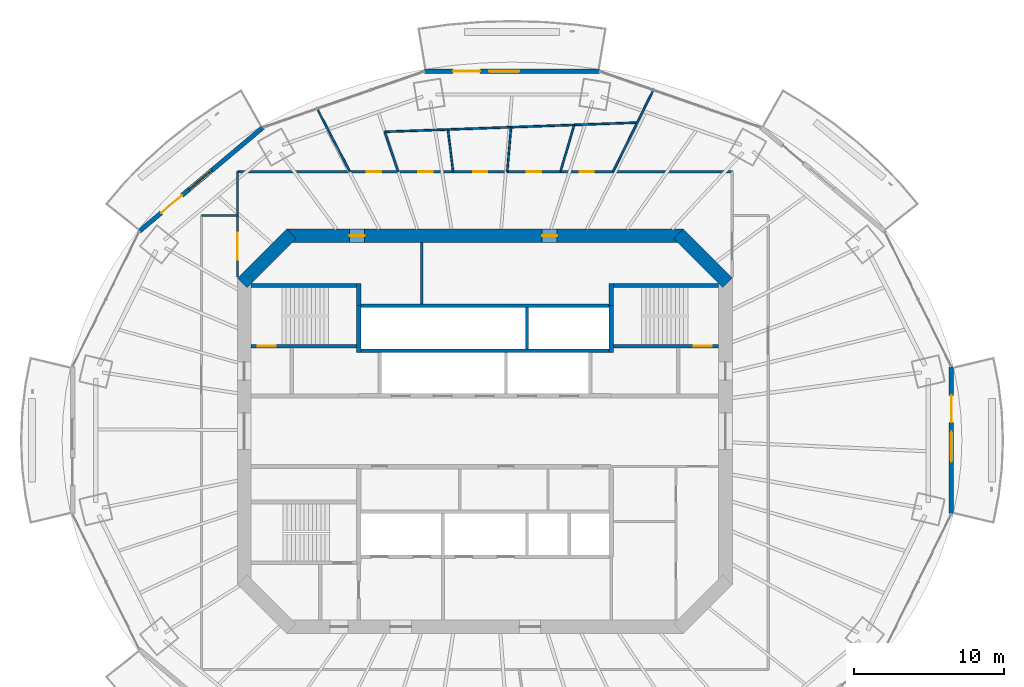
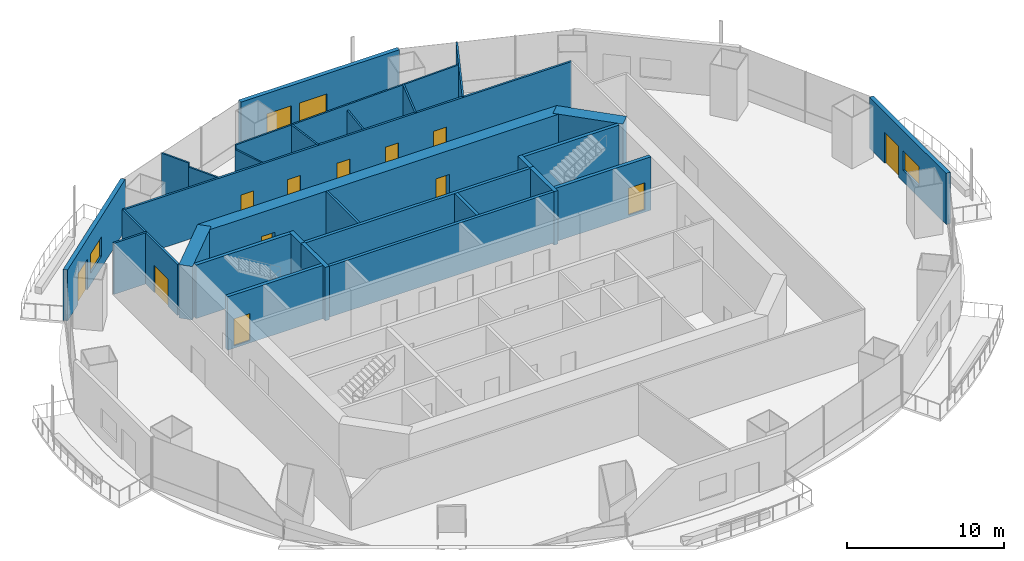
# One storey, part 12 of 19: 29 walls, 13 doors, 3 windows, 16 openings.
"""IFC4 building model written with IfcOpenShell, lengths in metres."""

import ifcopenshell
import ifcopenshell.guid

model = None  # the IFC model being written
_history = None  # IfcOwnerHistory: only IFC2X3 demands one
_inside = {}  # id of a spatial element -> (the spatial element, [elements in it])
_under = {}  # id of a project, library or spatial element -> (it, [spatial elements below it])
_declared = {}  # id of a project -> (the project, [libraries it declares])
_typed = {}  # id of a type object -> (the type object, [elements of that type])
_made_of = {}  # id of a material, layer set ... -> (it, [elements and type objects made of it])


def new_model(schema):
    """Start an empty IFC model of exactly this schema.

    Asked for "IFC4X3", IfcOpenShell would pick the latest addendum, in which some entities
    have other attributes; the version numbers below select the first issue.
    IFC2X3 requires an IfcOwnerHistory on every rooted entity: one is made here for all.
    """
    global model, _history
    if schema == "IFC4X3":
        model = ifcopenshell.file(schema_version=(4, 3, 0, 0))
    else:
        model = ifcopenshell.file(schema=schema)
    _inside.clear()
    _under.clear()
    _declared.clear()
    _typed.clear()
    _made_of.clear()
    _history = None
    if model.schema == "IFC2X3":
        org = make("IfcOrganization", Name="unknown")
        user = make(
            "IfcPersonAndOrganization",
            ThePerson=make("IfcPerson", FamilyName="unknown"),
            TheOrganization=org,
        )
        app = make(
            "IfcApplication",
            ApplicationDeveloper=org,
            Version="unknown",
            ApplicationFullName="unknown",
            ApplicationIdentifier="unknown",
        )
        _history = make(
            "IfcOwnerHistory",
            OwningUser=user,
            OwningApplication=app,
            ChangeAction="ADDED",
            CreationDate=0,
        )
    return model


def make(cls, **values):
    """One entity of the class cls with the attributes given. An attribute that is None is left unset."""
    return model.create_entity(
        cls, **{name: value for name, value in values.items() if value is not None}
    )


def rooted(cls, **values):
    """An entity with a GlobalId (a new one), such as an element, a storey or a relation."""
    return make(cls, GlobalId=ifcopenshell.guid.new(), OwnerHistory=_history, **values)


def si_unit(unit_type, name, prefix=None):
    """IfcSIUnit, for example si_unit("LENGTHUNIT", "METRE", prefix="MILLI")."""
    return make("IfcSIUnit", UnitType=unit_type, Prefix=prefix, Name=name)


def assignment(units):
    """IfcUnitAssignment: the units of a project."""
    return None if units is None else make("IfcUnitAssignment", Units=units)


def point(xyz):
    """IfcCartesianPoint."""
    return None if xyz is None else make("IfcCartesianPoint", Coordinates=xyz)


def direction(xyz):
    """IfcDirection."""
    return None if xyz is None else make("IfcDirection", DirectionRatios=xyz)


def frame(location, z_axis=None, x_axis=None):
    """IfcAxis2Placement3D, a coordinate frame: its origin and axes. An axis left out is left unset."""
    return make(
        "IfcAxis2Placement3D",
        Location=point(location),
        Axis=direction(z_axis),
        RefDirection=direction(x_axis),
    )


def frame_2d(location, x_axis=None):
    """IfcAxis2Placement2D, a coordinate frame in the plane: its origin and x axis."""
    return make(
        "IfcAxis2Placement2D", Location=point(location), RefDirection=direction(x_axis)
    )


def origin():
    """The frame at (0, 0, 0) with its axes left unset."""
    return frame((0.0, 0.0, 0.0))


def place(relative_to, where):
    """IfcLocalPlacement: puts the frame where relative to a parent placement (None: the world)."""
    return make(
        "IfcLocalPlacement", PlacementRelTo=relative_to, RelativePlacement=where
    )


def context(
    kind, dimensions, precision=None, world=None, true_north=None, identifier=None
):
    """IfcGeometricRepresentationContext, for example the 3D "Model" context."""
    return make(
        "IfcGeometricRepresentationContext",
        ContextIdentifier=identifier,
        ContextType=kind,
        CoordinateSpaceDimension=dimensions,
        Precision=precision,
        WorldCoordinateSystem=world,
        TrueNorth=true_north,
    )


def subcontext(parent, identifier, kind, view, scale=None):
    """IfcGeometricRepresentationSubContext, for example "Body" below "Model"."""
    return make(
        "IfcGeometricRepresentationSubContext",
        ContextIdentifier=identifier,
        ContextType=kind,
        ParentContext=parent,
        TargetScale=scale,
        TargetView=view,
    )


def project(units=None, contexts=None):
    """IfcProject with its units and contexts."""
    return rooted(
        "IfcProject",
        Name="project",
        RepresentationContexts=contexts,
        UnitsInContext=assignment(units),
    )


def spatial(cls, under=None, at=None, **own):
    """A site, building, storey or space (cls), placed at a placement, below another one or the project."""
    s = rooted(cls, ObjectPlacement=at, **own)
    if under is not None:
        _under.setdefault(under.id(), (under, []))[1].append(s)
    return s


def profile(cls, at=None, kind="AREA", **sizes):
    """A parametric profile (cls). Its sizes go by their IFC names, for example OverallWidth=200.0."""
    return make(cls, ProfileType=kind, Position=at, **sizes)


def rectangle(**sizes):
    """IfcRectangleProfileDef."""
    return profile("IfcRectangleProfileDef", **sizes)


def extrude(swept, where, along, depth):
    """IfcExtrudedAreaSolid: the profile swept, set in the frame where, extruded along a direction by depth."""
    return make(
        "IfcExtrudedAreaSolid",
        SweptArea=swept,
        Position=where,
        ExtrudedDirection=direction(along),
        Depth=depth,
    )


def shape(context_of_items, identifier, shape_type, items):
    """IfcShapeRepresentation: the items that make up one representation, for example the "Body"."""
    return make(
        "IfcShapeRepresentation",
        ContextOfItems=context_of_items,
        RepresentationIdentifier=identifier,
        RepresentationType=shape_type,
        Items=items,
    )


def material(Name=None, Category=None):
    """IfcMaterial."""
    return make("IfcMaterial", Name=Name, Category=Category)


def layer(
    of_material, thickness, ventilated=None, Name=None, Category=None, Priority=None
):
    """IfcMaterialLayer: one layer of a wall or slab, of a material (None: an air gap)."""
    return make(
        "IfcMaterialLayer",
        Material=of_material,
        LayerThickness=thickness,
        IsVentilated=ventilated,
        Name=Name,
        Category=Category,
        Priority=Priority,
    )


def layer_set(layers, Name=None):
    """IfcMaterialLayerSet."""
    return make("IfcMaterialLayerSet", MaterialLayers=layers, LayerSetName=Name)


def made_of(thing, what):
    """Note that an element or type object is made of a material, layer set ...; save() writes the relation."""
    if what is not None:
        _made_of.setdefault(what.id(), (what, []))[1].append(thing)
    return thing


def type_object(cls, material=None, **own):
    """A type object (cls), such as IfcWallType, which elements share."""
    return made_of(rooted(cls, **own), material)


def element(
    cls,
    number,
    at=None,
    inside=None,
    cuts=None,
    type_object=None,
    material=None,
    context=None,
    identifier="Body",
    shape_type=None,
    held_by="IfcProductDefinitionShape",
    body=None,
    shapes=None,
    **own,
):
    """One element of the class cls, such as IfcWall. Its Tag is "e" and its number.

    at: its placement. inside: the storey or other place that contains it. cuts: it is an
    opening in that element (IfcRelVoidsElement). A single representation is given by context,
    identifier, shape_type and body (its items); several are given by shapes. held_by: the class
    of the entity that holds the representations. save() writes the other relations.
    """
    e = rooted(cls, Tag="e%d" % number, ObjectPlacement=at, **own)
    if body is not None:
        shapes = [shape(context, identifier, shape_type, body)]
    if shapes is not None:
        e.Representation = make(held_by, Representations=shapes)
    if inside is not None:
        _inside.setdefault(inside.id(), (inside, []))[1].append(e)
    if cuts is not None:
        rooted(
            "IfcRelVoidsElement", RelatingBuildingElement=cuts, RelatedOpeningElement=e
        )
    if type_object is not None:
        _typed.setdefault(type_object.id(), (type_object, []))[1].append(e)
    return made_of(e, material)


def fill(opening, filler):
    """IfcRelFillsElement: the door or window that sits in an opening."""
    return rooted(
        "IfcRelFillsElement",
        RelatingOpeningElement=opening,
        RelatedBuildingElement=filler,
    )


def aggregate(whole, parts):
    """IfcRelAggregates: a whole, such as a stair, and the parts it consists of."""
    return rooted("IfcRelAggregates", RelatingObject=whole, RelatedObjects=parts)


def save(model, path):
    """Write the relations noted so far, then the file.

    IfcRelAggregates (storeys below a building ...), IfcRelContainedInSpatialStructure (elements
    in a storey), IfcRelDefinesByType, IfcRelAssociatesMaterial and IfcRelDeclares: one each for
    every whole, place, type object, material and project.
    """
    for whole, parts in _under.values():
        aggregate(whole, parts)
    for where, things in _inside.values():
        rooted(
            "IfcRelContainedInSpatialStructure",
            RelatedElements=things,
            RelatingStructure=where,
        )
    for kind, things in _typed.values():
        rooted("IfcRelDefinesByType", RelatedObjects=things, RelatingType=kind)
    for what, things in _made_of.values():
        rooted("IfcRelAssociatesMaterial", RelatedObjects=things, RelatingMaterial=what)
    for by, libraries in _declared.values():
        rooted("IfcRelDeclares", RelatingContext=by, RelatedDefinitions=libraries)
    model.write(path)


model = new_model("IFC4")

# Units and contexts
model_context = context("Model", 3, precision=1e-05, world=origin(), true_north=direction((0.0, 1.0)))
body_context = subcontext(model_context, "Body", "Model", "MODEL_VIEW")
ifc_project = project(units=[si_unit("LENGTHUNIT", "METRE"), si_unit("AREAUNIT", "SQUARE_METRE"), si_unit("VOLUMEUNIT", "CUBIC_METRE"), si_unit("PLANEANGLEUNIT", "RADIAN"), si_unit("MASSUNIT", "GRAM", prefix="KILO")], contexts=[model_context])

# Site, building, storey
site_placement = place(None, origin())
site = spatial("IfcSite", under=ifc_project, at=site_placement, CompositionType="ELEMENT")
building_placement = place(site_placement, origin())
building = spatial("IfcBuilding", under=site, at=building_placement, Name="Marenthal Gate Tower", CompositionType="ELEMENT")
storey_placement = place(building_placement, frame((0.0, 0.0, 256.5)))
storey = spatial("IfcBuildingStorey", under=building, at=storey_placement, Name="L57", CompositionType="ELEMENT", Elevation=256.5)

# Wall
ifc_material_1 = material(Name="Concrete 60 MPa", Category="concrete")
ifc_layer_1 = layer(ifc_material_1, 0.89990234375)
ifc_layer_set_1 = layer_set([ifc_layer_1], Name="Core shear wall 900")
wall_type_1 = type_object("IfcWallType", Name="Core shear wall 900", PredefinedType="SHEAR", material=ifc_layer_set_1)
wall_1_placement = place(storey_placement, frame((16.1318359375, 9.8681640625, -0.179931640625), z_axis=(0.0, 0.0, 1.0), x_axis=(-0.707106781187, 0.707106781187, 0.0)))
element("IfcWall", 1, at=wall_1_placement, inside=storey, type_object=wall_type_1, Name="Core wall 03", PredefinedType="SHEAR", context=body_context, shape_type="SweptSolid", body=[
    extrude(rectangle(XDim=4.615478515625, YDim=0.89990234375, at=frame_2d((2.3076171875, 0.0))), origin(), (0.0, 0.0, 1.0), 4.14990234375),
])

# Wall, openings, doors
wall_2_placement = place(storey_placement, frame((13.186279296875, 13.0, -0.179931640625), z_axis=(0.0, 0.0, 1.0), x_axis=(-1.0, 0.0, 0.0)))
wall_2 = element("IfcWall", 2, at=wall_2_placement, inside=storey, type_object=wall_type_1, Name="Core wall 04", PredefinedType="SHEAR", context=body_context, shape_type="SweptSolid", body=[
    extrude(rectangle(XDim=26.37255859375, YDim=0.89990234375, at=frame_2d((13.186279296875, 0.0))), origin(), (0.0, 0.0, 1.0), 4.14990234375),
])
opening_1_placement = place(wall_2_placement, frame((21.193359375, 0.0, 0.179931640625)))
opening_1 = element("IfcOpeningElement", 3, at=opening_1_placement, cuts=wall_2, Name="Opening D005.04", PredefinedType="OPENING", context=body_context, shape_type="SweptSolid", body=[
    extrude(rectangle(XDim=1.0, YDim=2.10009765625, at=frame_2d((0.5, 1.050048828125))), frame((0.0, 0.4599609375, 0.0), z_axis=(0.0, -1.0, 0.0), x_axis=(1.0, 0.0, 0.0)), (0.0, 0.0, 1.0), 0.919921875),
])
opening_2_placement = place(wall_2_placement, frame((8.37939453125, 0.0, 0.179931640625)))
opening_2 = element("IfcOpeningElement", 4, at=opening_2_placement, cuts=wall_2, Name="Opening D005.05", PredefinedType="OPENING", context=body_context, shape_type="SweptSolid", body=[
    extrude(rectangle(XDim=1.0, YDim=2.10009765625, at=frame_2d((0.5, 1.050048828125))), frame((0.0, 0.4599609375, 0.0), z_axis=(0.0, -1.0, 0.0), x_axis=(1.0, 0.0, 0.0)), (0.0, 0.0, 1.0), 0.919921875),
])
ifc_material_2 = material(Name="Steel fire door", Category="steel")
door_type_1 = type_object("IfcDoorType", Name="Fire door FD 45 1000 x 2100", OperationType="NOTDEFINED", PredefinedType="DOOR", material=ifc_material_2)
door_1_placement = place(opening_1_placement, origin())
door_1 = element("IfcDoor", 5, at=door_1_placement, inside=storey, type_object=door_type_1, Name="Door D005.04", OperationType="SINGLE_SWING_RIGHT", OverallHeight=2.10009765625, OverallWidth=1.0, PredefinedType="DOOR", context=body_context, shape_type="SweptSolid", body=[
    extrude(rectangle(XDim=1.0, YDim=2.10009765625, at=frame_2d((0.5, 1.050048828125))), frame((0.0, 0.02490234375, 0.0), z_axis=(0.0, -1.0, 0.0), x_axis=(1.0, 0.0, 0.0)), (0.0, 0.0, 1.0), 0.050048828125),
])
fill(opening_1, door_1)
door_2_placement = place(opening_2_placement, origin())
door_2 = element("IfcDoor", 6, at=door_2_placement, inside=storey, type_object=door_type_1, Name="Door D005.05", OperationType="SINGLE_SWING_RIGHT", OverallHeight=2.10009765625, OverallWidth=1.0, PredefinedType="DOOR", context=body_context, shape_type="SweptSolid", body=[
    extrude(rectangle(XDim=1.0, YDim=2.10009765625, at=frame_2d((0.5, 1.050048828125))), frame((0.0, 0.02490234375, 0.0), z_axis=(0.0, -1.0, 0.0), x_axis=(1.0, 0.0, 0.0)), (0.0, 0.0, 1.0), 0.050048828125),
])
fill(opening_2, door_2)

# Walls
wall_3_placement = place(storey_placement, frame((-12.8681640625, 13.1318359375, -0.179931640625), z_axis=(0.0, 0.0, 1.0), x_axis=(-0.707106781187, -0.707106781187, 0.0)))
element("IfcWall", 7, at=wall_3_placement, inside=storey, type_object=wall_type_1, Name="Core wall 05", PredefinedType="SHEAR", context=body_context, shape_type="SweptSolid", body=[
    extrude(rectangle(XDim=4.615478515625, YDim=0.89990234375, at=frame_2d((2.3076171875, 0.0))), origin(), (0.0, 0.0, 1.0), 4.14990234375),
])
ifc_material_3 = material(Name="Concrete 50 MPa", Category="concrete")
ifc_layer_2 = layer(ifc_material_3, 0.300048828125)
ifc_layer_set_2 = layer_set([ifc_layer_2], Name="Hoistway shear wall 300")
wall_type_2 = type_object("IfcWallType", Name="Hoistway shear wall 300", PredefinedType="SHEAR", material=ifc_layer_set_2)
for number, where, z_axis, x_axis, name in (
    (8, (-8.39990234375, 5.239990234375, -0.179931640625), (0.0, 0.0, 1.0), (0.0, 1.0, 0.0), "Hoistway wall 31"),
    (9, (8.39990234375, 5.239990234375, -0.179931640625), (0.0, 0.0, 1.0), (0.0, 1.0, 0.0), "Hoistway wall 46"),
):
    element("IfcWall", number, at=place(storey_placement, frame(where, z_axis=z_axis, x_axis=x_axis)), inside=storey, type_object=wall_type_2, Name=name, PredefinedType="SHEAR", context=body_context, shape_type="SweptSolid", body=[
        extrude(rectangle(XDim=3.110107421875, YDim=0.300048828125, at=frame_2d((1.55517578125, 0.0))), origin(), (0.0, 0.0, 1.0), 4.14990234375),
    ])
ifc_material_4 = material(Name="Concrete 40 MPa", Category="concrete")
ifc_layer_3 = layer(ifc_material_4, 0.219970703125)
ifc_layer_set_3 = layer_set([ifc_layer_3], Name="Hoistway wall 220")
wall_type_3 = type_object("IfcWallType", Name="Hoistway wall 220", PredefinedType="STANDARD", material=ifc_layer_set_3)
for number, where, z_axis, x_axis, name in (
    (10, (-8.25, 5.35009765625, 0.0), (0.0, 0.0, 1.0), (1.0, 0.0, 0.0), "Hoistway wall 21"),
    (11, (-8.25, 8.35009765625, 0.0), (0.0, 0.0, 1.0), (1.0, 0.0, 0.0), "Hoistway wall 24"),
):
    element("IfcWall", number, at=place(storey_placement, frame(where, z_axis=z_axis, x_axis=x_axis)), inside=storey, type_object=wall_type_3, Name=name, PredefinedType="STANDARD", context=body_context, shape_type="SweptSolid", body=[
        extrude(rectangle(XDim=16.5, YDim=0.219970703125, at=frame_2d((8.25, 0.0))), origin(), (0.0, 0.0, 1.0), 3.969970703125),
    ])
wall_4_placement = place(storey_placement, frame((2.800048828125, 5.4599609375, 0.0), z_axis=(0.0, 0.0, 1.0), x_axis=(0.0, 1.0, 0.0)))
element("IfcWall", 12, at=wall_4_placement, inside=storey, type_object=wall_type_3, Name="Hoistway wall 40", PredefinedType="STANDARD", context=body_context, shape_type="SweptSolid", body=[
    extrude(rectangle(XDim=2.780029296875, YDim=0.219970703125, at=frame_2d((1.39013671875, 0.0))), origin(), (0.0, 0.0, 1.0), 3.969970703125),
])
ifc_material_5 = material(Name="Gypsum board on steel studs", Category="steel")
ifc_layer_4 = layer(ifc_material_5, 0.1201171875)
ifc_layer_set_4 = layer_set([ifc_layer_4], Name="Partition 120")
wall_type_4 = type_object("IfcWallType", Name="Partition 120", PredefinedType="PARTITIONING", material=ifc_layer_set_4)
wall_5_placement = place(storey_placement, frame((-8.983642578125, 17.267333984375, 0.0), z_axis=(0.0, 0.0, 1.0), x_axis=(-0.461563592542, 0.887107124332, 0.0)))
element("IfcWall", 13, at=wall_5_placement, inside=storey, type_object=wall_type_4, Name="Partition wall 54", PredefinedType="PARTITIONING", context=body_context, shape_type="SweptSolid", body=[
    extrude(rectangle(XDim=2.697509765625, YDim=0.1201171875, at=frame_2d((1.3486328125, 0.0))), origin(), (0.0, 0.0, 1.0), 3.659912109375),
])
wall_6_placement = place(storey_placement, frame((-10.228759765625, 19.660400390625, 0.0), z_axis=(0.0, 0.0, 1.0), x_axis=(-0.46142078382, 0.887181413387, 0.0)))
element("IfcWall", 14, at=wall_6_placement, inside=storey, type_object=wall_type_4, Name="Partition wall 66", PredefinedType="PARTITIONING", context=body_context, shape_type="SweptSolid", body=[
    extrude(rectangle(XDim=2.033447265625, YDim=0.1201171875, at=frame_2d((1.0166015625, 0.0))), origin(), (0.0, 0.0, 1.0), 3.969970703125),
])
wall_7_placement = place(storey_placement, frame((-6.659912109375, 19.917724609375, 0.0), z_axis=(0.0, 0.0, 1.0), x_axis=(0.317118703872, -0.948385853783, 0.0)))
element("IfcWall", 15, at=wall_7_placement, inside=storey, type_object=wall_type_4, Name="Partition wall 55", PredefinedType="PARTITIONING", context=body_context, shape_type="SweptSolid", body=[
    extrude(rectangle(XDim=2.794677734375, YDim=0.1201171875, at=frame_2d((1.3974609375, 0.0))), origin(), (0.0, 0.0, 1.0), 3.616943359375),
])
wall_8_placement = place(storey_placement, frame((-2.4619140625, 20.07080078125, 0.0), z_axis=(0.0, 0.0, 1.0), x_axis=(0.121704558914, -0.992566370748, 0.0)))
element("IfcWall", 16, at=wall_8_placement, inside=storey, type_object=wall_type_4, Name="Partition wall 56", PredefinedType="PARTITIONING", context=body_context, shape_type="SweptSolid", body=[
    extrude(rectangle(XDim=2.824462890625, YDim=0.1201171875, at=frame_2d((1.412109375, 0.0))), origin(), (0.0, 0.0, 1.0), 3.969970703125),
])
wall_9_placement = place(storey_placement, frame((1.73583984375, 20.223388671875, 0.0), z_axis=(0.0, 0.0, 1.0), x_axis=(-0.08549683198, -0.996338442359, 0.0)))
element("IfcWall", 17, at=wall_9_placement, inside=storey, type_object=wall_type_4, Name="Partition wall 57", PredefinedType="PARTITIONING", context=body_context, shape_type="SweptSolid", body=[
    extrude(rectangle(XDim=2.966796875, YDim=0.1201171875, at=frame_2d((1.4833984375, 0.0))), origin(), (0.0, 0.0, 1.0), 3.552978515625),
])
wall_10_placement = place(storey_placement, frame((5.933837890625, 20.376220703125, 0.0), z_axis=(0.0, 0.0, 1.0), x_axis=(-0.279577259278, -0.960123198394, 0.0)))
element("IfcWall", 18, at=wall_10_placement, inside=storey, type_object=wall_type_4, Name="Partition wall 59", PredefinedType="PARTITIONING", context=body_context, shape_type="SweptSolid", body=[
    extrude(rectangle(XDim=3.238037109375, YDim=0.1201171875, at=frame_2d((1.619140625, 0.0))), origin(), (0.0, 0.0, 1.0), 3.969970703125),
])
wall_11_placement = place(storey_placement, frame((8.52197265625, 17.267333984375, 0.0), z_axis=(0.0, 0.0, 1.0), x_axis=(0.442552062216, 0.896742812755, 0.0)))
element("IfcWall", 19, at=wall_11_placement, inside=storey, type_object=wall_type_4, Name="Partition wall 60", PredefinedType="PARTITIONING", context=body_context, shape_type="SweptSolid", body=[
    extrude(rectangle(XDim=6.062255859375, YDim=0.1201171875, at=frame_2d((3.03125, 0.0))), origin(), (0.0, 0.0, 1.0), 3.969970703125),
])
wall_12_placement = place(storey_placement, frame((10.131591796875, 20.529296875, 0.0), z_axis=(0.0, 0.0, 1.0), x_axis=(-0.999337395221, -0.036397397061, 0.0)))
element("IfcWall", 20, at=wall_12_placement, inside=storey, type_object=wall_type_4, Name="Partition wall 61", PredefinedType="PARTITIONING", context=body_context, shape_type="SweptSolid", body=[
    extrude(rectangle(XDim=16.802734375, YDim=0.1201171875, at=frame_2d((8.4013671875, 0.0))), origin(), (0.0, 0.0, 1.0), 3.969970703125),
])
ifc_material_6 = material(Name="Gypsum board on steel studs", Category="steel")
ifc_layer_5 = layer(ifc_material_6, 0.14990234375)
ifc_layer_set_5 = layer_set([ifc_layer_5], Name="Partition 150")
wall_type_5 = type_object("IfcWallType", Name="Partition 150", PredefinedType="PARTITIONING", material=ifc_layer_set_5)
wall_13_placement = place(storey_placement, frame((-4.199951171875, 8.4599609375, 0.0), z_axis=(0.0, 0.0, 1.0), x_axis=(0.0, 1.0, 0.0)))
element("IfcWall", 21, at=wall_13_placement, inside=storey, type_object=wall_type_5, Name="Partition wall 34", PredefinedType="PARTITIONING", context=body_context, shape_type="SweptSolid", body=[
    extrude(rectangle(XDim=4.090087890625, YDim=0.14990234375, at=frame_2d((2.044921875, 0.0))), origin(), (0.0, 0.0, 1.0), 3.969970703125),
])
wall_14_placement = place(storey_placement, frame((-18.85009765625, 14.357177734375, 0.0), z_axis=(0.0, 0.0, 1.0), x_axis=(1.0, 0.0, 0.0)))
element("IfcWall", 22, at=wall_14_placement, inside=storey, type_object=wall_type_5, Name="Partition wall 51", PredefinedType="PARTITIONING", context=body_context, shape_type="SweptSolid", body=[
    extrude(rectangle(XDim=2.400146484375, YDim=0.14990234375, at=frame_2d((1.2001953125, 0.0))), origin(), (0.0, 0.0, 1.0), 3.969970703125),
])

# Wall, opening, door
wall_15_placement = place(storey_placement, frame((-16.449951171875, 10.25, 0.0), z_axis=(0.0, 0.0, 1.0), x_axis=(0.0, 1.0, 0.0)))
wall_15 = element("IfcWall", 23, at=wall_15_placement, inside=storey, type_object=wall_type_5, Name="Partition wall 52", PredefinedType="PARTITIONING", context=body_context, shape_type="SweptSolid", body=[
    extrude(rectangle(XDim=7.017333984375, YDim=0.14990234375, at=frame_2d((3.5087890625, 0.0))), origin(), (0.0, 0.0, 1.0), 3.969970703125),
])
opening_3_placement = place(wall_15_placement, frame((1.153076171875, 0.0, 0.0)))
opening_3 = element("IfcOpeningElement", 24, at=opening_3_placement, cuts=wall_15, Name="Opening D014.03", PredefinedType="OPENING", context=body_context, shape_type="SweptSolid", body=[
    extrude(rectangle(XDim=1.800048828125, YDim=2.10009765625, at=frame_2d((0.89990234375, 1.050048828125))), frame((0.0, 0.0849609375, 0.0), z_axis=(0.0, -1.0, 0.0), x_axis=(1.0, 0.0, 0.0)), (0.0, 0.0, 1.0), 0.169921875),
])
ifc_material_7 = material(Name="Timber door", Category="wood")
door_type_2 = type_object("IfcDoorType", Name="Double door 1800 x 2100", OperationType="DOUBLE_DOOR_SINGLE_SWING", PredefinedType="DOOR", material=ifc_material_7)
door_3_placement = place(opening_3_placement, origin())
door_3 = element("IfcDoor", 25, at=door_3_placement, inside=storey, type_object=door_type_2, Name="Door D014.03", OperationType="DOUBLE_DOOR_SINGLE_SWING", OverallHeight=2.10009765625, OverallWidth=1.800048828125, PredefinedType="DOOR", context=body_context, shape_type="SweptSolid", body=[
    extrude(rectangle(XDim=1.800048828125, YDim=2.10009765625, at=frame_2d((0.89990234375, 1.050048828125))), frame((0.0, 0.02490234375, 0.0), z_axis=(0.0, -1.0, 0.0), x_axis=(1.0, 0.0, 0.0)), (0.0, 0.0, 1.0), 0.050048828125),
])
fill(opening_3, door_3)

# Wall, openings, doors
wall_16_placement = place(storey_placement, frame((-16.449951171875, 17.267333984375, 0.0), z_axis=(0.0, 0.0, 1.0), x_axis=(1.0, 0.0, 0.0)))
wall_16 = element("IfcWall", 26, at=wall_16_placement, inside=storey, type_object=wall_type_5, Name="Partition wall 53", PredefinedType="PARTITIONING", context=body_context, shape_type="SweptSolid", body=[
    extrude(rectangle(XDim=32.89990234375, YDim=0.14990234375, at=frame_2d((16.449951171875, 0.0))), origin(), (0.0, 0.0, 1.0), 3.969970703125),
])
opening_4_placement = place(wall_16_placement, frame((22.75, 0.0, 0.0)))
opening_4 = element("IfcOpeningElement", 27, at=opening_4_placement, cuts=wall_16, Name="Opening D016.01", PredefinedType="OPENING", context=body_context, shape_type="SweptSolid", body=[
    extrude(rectangle(XDim=0.949951171875, YDim=2.10009765625, at=frame_2d((0.47509765625, 1.050048828125))), frame((0.0, 0.0849609375, 0.0), z_axis=(0.0, -1.0, 0.0), x_axis=(1.0, 0.0, 0.0)), (0.0, 0.0, 1.0), 0.169921875),
])
opening_5_placement = place(wall_16_placement, frame((19.22998046875, 0.0, 0.0)))
opening_5 = element("IfcOpeningElement", 28, at=opening_5_placement, cuts=wall_16, Name="Opening D016.02", PredefinedType="OPENING", context=body_context, shape_type="SweptSolid", body=[
    extrude(rectangle(XDim=0.949951171875, YDim=2.10009765625, at=frame_2d((0.47509765625, 1.050048828125))), frame((0.0, 0.0849609375, 0.0), z_axis=(0.0, -1.0, 0.0), x_axis=(1.0, 0.0, 0.0)), (0.0, 0.0, 1.0), 0.169921875),
])
opening_6_placement = place(wall_16_placement, frame((15.656982421875, 0.0, 0.0)))
opening_6 = element("IfcOpeningElement", 29, at=opening_6_placement, cuts=wall_16, Name="Opening D016.03", PredefinedType="OPENING", context=body_context, shape_type="SweptSolid", body=[
    extrude(rectangle(XDim=0.949951171875, YDim=2.10009765625, at=frame_2d((0.47509765625, 1.050048828125))), frame((0.0, 0.0849609375, 0.0), z_axis=(0.0, -1.0, 0.0), x_axis=(1.0, 0.0, 0.0)), (0.0, 0.0, 1.0), 0.169921875),
])
opening_7_placement = place(wall_16_placement, frame((12.029052734375, 0.0, 0.0)))
opening_7 = element("IfcOpeningElement", 30, at=opening_7_placement, cuts=wall_16, Name="Opening D016.04", PredefinedType="OPENING", context=body_context, shape_type="SweptSolid", body=[
    extrude(rectangle(XDim=0.949951171875, YDim=2.10009765625, at=frame_2d((0.47509765625, 1.050048828125))), frame((0.0, 0.0849609375, 0.0), z_axis=(0.0, -1.0, 0.0), x_axis=(1.0, 0.0, 0.0)), (0.0, 0.0, 1.0), 0.169921875),
])
opening_8_placement = place(wall_16_placement, frame((8.595947265625, 0.0, 0.0)))
opening_8 = element("IfcOpeningElement", 31, at=opening_8_placement, cuts=wall_16, Name="Opening D016.05", PredefinedType="OPENING", context=body_context, shape_type="SweptSolid", body=[
    extrude(rectangle(XDim=0.949951171875, YDim=2.10009765625, at=frame_2d((0.47509765625, 1.050048828125))), frame((0.0, 0.0849609375, 0.0), z_axis=(0.0, -1.0, 0.0), x_axis=(1.0, 0.0, 0.0)), (0.0, 0.0, 1.0), 0.169921875),
])
ifc_material_8 = material(Name="Timber door", Category="wood")
door_type_3 = type_object("IfcDoorType", Name="Door 950 x 2100", OperationType="NOTDEFINED", PredefinedType="DOOR", material=ifc_material_8)
door_4_placement = place(opening_4_placement, origin())
door_4 = element("IfcDoor", 32, at=door_4_placement, inside=storey, type_object=door_type_3, Name="Door D016.01", OperationType="SINGLE_SWING_RIGHT", OverallHeight=2.10009765625, OverallWidth=0.949951171875, PredefinedType="DOOR", context=body_context, shape_type="SweptSolid", body=[
    extrude(rectangle(XDim=0.949951171875, YDim=2.10009765625, at=frame_2d((0.47509765625, 1.050048828125))), frame((0.0, 0.02490234375, 0.0), z_axis=(0.0, -1.0, 0.0), x_axis=(1.0, 0.0, 0.0)), (0.0, 0.0, 1.0), 0.050048828125),
])
fill(opening_4, door_4)
door_5_placement = place(opening_5_placement, origin())
door_5 = element("IfcDoor", 33, at=door_5_placement, inside=storey, type_object=door_type_3, Name="Door D016.02", OperationType="SINGLE_SWING_RIGHT", OverallHeight=2.10009765625, OverallWidth=0.949951171875, PredefinedType="DOOR", context=body_context, shape_type="SweptSolid", body=[
    extrude(rectangle(XDim=0.949951171875, YDim=2.10009765625, at=frame_2d((0.47509765625, 1.050048828125))), frame((0.0, 0.02490234375, 0.0), z_axis=(0.0, -1.0, 0.0), x_axis=(1.0, 0.0, 0.0)), (0.0, 0.0, 1.0), 0.050048828125),
])
fill(opening_5, door_5)
door_6_placement = place(opening_6_placement, origin())
door_6 = element("IfcDoor", 34, at=door_6_placement, inside=storey, type_object=door_type_3, Name="Door D016.03", OperationType="SINGLE_SWING_RIGHT", OverallHeight=2.10009765625, OverallWidth=0.949951171875, PredefinedType="DOOR", context=body_context, shape_type="SweptSolid", body=[
    extrude(rectangle(XDim=0.949951171875, YDim=2.10009765625, at=frame_2d((0.47509765625, 1.050048828125))), frame((0.0, 0.02490234375, 0.0), z_axis=(0.0, -1.0, 0.0), x_axis=(1.0, 0.0, 0.0)), (0.0, 0.0, 1.0), 0.050048828125),
])
fill(opening_6, door_6)
door_7_placement = place(opening_7_placement, origin())
door_7 = element("IfcDoor", 35, at=door_7_placement, inside=storey, type_object=door_type_3, Name="Door D016.04", OperationType="SINGLE_SWING_RIGHT", OverallHeight=2.10009765625, OverallWidth=0.949951171875, PredefinedType="DOOR", context=body_context, shape_type="SweptSolid", body=[
    extrude(rectangle(XDim=0.949951171875, YDim=2.10009765625, at=frame_2d((0.47509765625, 1.050048828125))), frame((0.0, 0.02490234375, 0.0), z_axis=(0.0, -1.0, 0.0), x_axis=(1.0, 0.0, 0.0)), (0.0, 0.0, 1.0), 0.050048828125),
])
fill(opening_7, door_7)
door_8_placement = place(opening_8_placement, origin())
door_8 = element("IfcDoor", 36, at=door_8_placement, inside=storey, type_object=door_type_3, Name="Door D016.05", OperationType="SINGLE_SWING_RIGHT", OverallHeight=2.10009765625, OverallWidth=0.949951171875, PredefinedType="DOOR", context=body_context, shape_type="SweptSolid", body=[
    extrude(rectangle(XDim=0.949951171875, YDim=2.10009765625, at=frame_2d((0.47509765625, 1.050048828125))), frame((0.0, 0.02490234375, 0.0), z_axis=(0.0, -1.0, 0.0), x_axis=(1.0, 0.0, 0.0)), (0.0, 0.0, 1.0), 0.050048828125),
])
fill(opening_8, door_8)

# Wall, opening, door
ifc_material_9 = material(Name="Concrete 50 MPa", Category="concrete")
ifc_layer_6 = layer(ifc_material_9, 0.25)
ifc_layer_set_6 = layer_set([ifc_layer_6], Name="Stair shear wall 250")
wall_type_6 = type_object("IfcWallType", Name="Stair shear wall 250", PredefinedType="SHEAR", material=ifc_layer_set_6)
wall_17_placement = place(storey_placement, frame((-15.550048828125, 5.64990234375, -0.179931640625), z_axis=(0.0, 0.0, 1.0), x_axis=(1.0, 0.0, 0.0)))
wall_17 = element("IfcWall", 37, at=wall_17_placement, inside=storey, type_object=wall_type_6, Name="Stair wall 22", PredefinedType="SHEAR", context=body_context, shape_type="SweptSolid", body=[
    extrude(rectangle(XDim=7.0, YDim=0.25, at=frame_2d((3.5, 0.0))), origin(), (0.0, 0.0, 1.0), 4.14990234375),
])
opening_9_placement = place(wall_17_placement, frame((0.449951171875, 0.0, 0.179931640625)))
opening_9 = element("IfcOpeningElement", 38, at=opening_9_placement, cuts=wall_17, Name="Opening D001.01", PredefinedType="OPENING", context=body_context, shape_type="SweptSolid", body=[
    extrude(rectangle(XDim=1.199951171875, YDim=2.10009765625, at=frame_2d((0.60009765625, 1.050048828125))), frame((0.0, 0.135009765625, 0.0), z_axis=(0.0, -1.0, 0.0), x_axis=(1.0, 0.0, 0.0)), (0.0, 0.0, 1.0), 0.27001953125),
])
ifc_material_10 = material(Name="Steel fire door", Category="steel")
door_type_4 = type_object("IfcDoorType", Name="Fire door FD 90 1200 x 2100", OperationType="NOTDEFINED", PredefinedType="DOOR", material=ifc_material_10)
door_9_placement = place(opening_9_placement, origin())
door_9 = element("IfcDoor", 39, at=door_9_placement, inside=storey, type_object=door_type_4, Name="Door D001.01", OperationType="SINGLE_SWING_RIGHT", OverallHeight=2.10009765625, OverallWidth=1.199951171875, PredefinedType="DOOR", context=body_context, shape_type="SweptSolid", body=[
    extrude(rectangle(XDim=1.199951171875, YDim=2.10009765625, at=frame_2d((0.60009765625, 1.050048828125))), frame((0.0, 0.02490234375, 0.0), z_axis=(0.0, -1.0, 0.0), x_axis=(1.0, 0.0, 0.0)), (0.0, 0.0, 1.0), 0.050048828125),
])
fill(opening_9, door_9)

wall_18_placement = place(storey_placement, frame((8.550048828125, 5.64990234375, -0.179931640625), z_axis=(0.0, 0.0, 1.0), x_axis=(1.0, 0.0, 0.0)))
wall_18 = element("IfcWall", 40, at=wall_18_placement, inside=storey, type_object=wall_type_6, Name="Stair wall 23", PredefinedType="SHEAR", context=body_context, shape_type="SweptSolid", body=[
    extrude(rectangle(XDim=7.0, YDim=0.25, at=frame_2d((3.5, 0.0))), origin(), (0.0, 0.0, 1.0), 4.14990234375),
])
opening_10_placement = place(wall_18_placement, frame((5.35009765625, 0.0, 0.179931640625)))
opening_10 = element("IfcOpeningElement", 41, at=opening_10_placement, cuts=wall_18, Name="Opening D001.02", PredefinedType="OPENING", context=body_context, shape_type="SweptSolid", body=[
    extrude(rectangle(XDim=1.199951171875, YDim=2.10009765625, at=frame_2d((0.60009765625, 1.050048828125))), frame((0.0, 0.135009765625, 0.0), z_axis=(0.0, -1.0, 0.0), x_axis=(1.0, 0.0, 0.0)), (0.0, 0.0, 1.0), 0.27001953125),
])
door_10_placement = place(opening_10_placement, origin())
door_10 = element("IfcDoor", 42, at=door_10_placement, inside=storey, type_object=door_type_4, Name="Door D001.02", OperationType="SINGLE_SWING_RIGHT", OverallHeight=2.10009765625, OverallWidth=1.199951171875, PredefinedType="DOOR", context=body_context, shape_type="SweptSolid", body=[
    extrude(rectangle(XDim=1.199951171875, YDim=2.10009765625, at=frame_2d((0.60009765625, 1.050048828125))), frame((0.0, 0.02490234375, 0.0), z_axis=(0.0, -1.0, 0.0), x_axis=(1.0, 0.0, 0.0)), (0.0, 0.0, 1.0), 0.050048828125),
])
fill(opening_10, door_10)

# Walls
for number, where, z_axis, x_axis, name in (
    (43, (-15.550048828125, 9.699951171875, -0.179931640625), (0.0, 0.0, 1.0), (1.0, 0.0, 0.0), "Stair wall 25"),
    (44, (8.550048828125, 9.699951171875, -0.179931640625), (0.0, 0.0, 1.0), (1.0, 0.0, 0.0), "Stair wall 26"),
):
    element("IfcWall", number, at=place(storey_placement, frame(where, z_axis=z_axis, x_axis=x_axis)), inside=storey, type_object=wall_type_6, Name=name, PredefinedType="SHEAR", context=body_context, shape_type="SweptSolid", body=[
        extrude(rectangle(XDim=7.0, YDim=0.25, at=frame_2d((3.5, 0.0))), origin(), (0.0, 0.0, 1.0), 4.14990234375),
    ])
ifc_material_11 = material(Name="Concrete 50 MPa", Category="concrete")
ifc_layer_7 = layer(ifc_material_11, 0.300048828125)
ifc_layer_set_7 = layer_set([ifc_layer_7], Name="Stair shear wall 300")
wall_type_7 = type_object("IfcWallType", Name="Stair shear wall 300", PredefinedType="SHEAR", material=ifc_layer_set_7)
for number, where, z_axis, x_axis, name in (
    (45, (-8.39990234375, 8.35009765625, -0.179931640625), (0.0, 0.0, 1.0), (0.0, 1.0, 0.0), "Stair wall 32"),
    (46, (8.39990234375, 8.35009765625, -0.179931640625), (0.0, 0.0, 1.0), (0.0, 1.0, 0.0), "Stair wall 47"),
):
    element("IfcWall", number, at=place(storey_placement, frame(where, z_axis=z_axis, x_axis=x_axis)), inside=storey, type_object=wall_type_7, Name=name, PredefinedType="SHEAR", context=body_context, shape_type="SweptSolid", body=[
        extrude(rectangle(XDim=1.474853515625, YDim=0.300048828125, at=frame_2d((0.7373046875, 0.0))), origin(), (0.0, 0.0, 1.0), 4.14990234375),
    ])

# Wall, openings, door, window
ifc_material_12 = material(Name="Terracotta cladding on insulated concrete-block backing", Category="masonry")
ifc_layer_8 = layer(ifc_material_12, 0.300048828125)
ifc_layer_set_8 = layer_set([ifc_layer_8], Name="Terracotta facade wall 300")
wall_type_8 = type_object("IfcWallType", Name="Terracotta facade wall 300", PredefinedType="SOLIDWALL", material=ifc_layer_set_8)
wall_19_placement = place(storey_placement, frame((7.6142578125, 23.952880859375, 0.0), z_axis=(0.0, 0.0, 1.0), x_axis=(-1.0, 0.0, 0.0)))
wall_19 = element("IfcWall", 47, at=wall_19_placement, inside=storey, type_object=wall_type_8, Name="Terracotta facade wall L57 bay 4", PredefinedType="SOLIDWALL", context=body_context, shape_type="SweptSolid", body=[
    extrude(rectangle(XDim=11.628662109375, YDim=0.300048828125, at=frame_2d((5.814453125, 0.0))), origin(), (0.0, 0.0, 1.0), 3.969970703125),
])
opening_11_placement = place(wall_19_placement, frame((7.9287109375, 0.0, 0.0)))
opening_11 = element("IfcOpeningElement", 48, at=opening_11_placement, cuts=wall_19, Name="Opening BD-L57-04", PredefinedType="OPENING", context=body_context, shape_type="SweptSolid", body=[
    extrude(rectangle(XDim=1.800048828125, YDim=2.39990234375, at=frame_2d((0.89990234375, 1.199951171875))), frame((0.0, 0.16015625, 0.0), z_axis=(0.0, -1.0, 0.0), x_axis=(1.0, 0.0, 0.0)), (0.0, 0.0, 1.0), 0.320068359375),
])
opening_12_placement = place(wall_19_placement, frame((5.32861328125, 0.0, 0.89990234375)))
opening_12 = element("IfcOpeningElement", 49, at=opening_12_placement, cuts=wall_19, Name="Opening WN2-L57-04", PredefinedType="OPENING", context=body_context, shape_type="SweptSolid", body=[
    extrude(rectangle(XDim=2.0, YDim=1.5, at=frame_2d((1.0, 0.75))), frame((0.0, 0.16015625, 0.0), z_axis=(0.0, -1.0, 0.0), x_axis=(1.0, 0.0, 0.0)), (0.0, 0.0, 1.0), 0.320068359375),
])
ifc_material_13 = material(Name="Aluminium and glass", Category="aluminium")
door_type_5 = type_object("IfcDoorType", Name="Balcony door 1800x2400", OperationType="DOUBLE_DOOR_SINGLE_SWING", PredefinedType="DOOR", material=ifc_material_13)
door_11_placement = place(opening_11_placement, origin())
door_11 = element("IfcDoor", 50, at=door_11_placement, inside=storey, type_object=door_type_5, Name="Balcony door L57 bay 4", OperationType="SINGLE_SWING_LEFT", OverallHeight=2.39990234375, OverallWidth=1.800048828125, PredefinedType="DOOR", context=body_context, shape_type="SweptSolid", body=[
    extrude(rectangle(XDim=1.800048828125, YDim=2.39990234375, at=frame_2d((0.89990234375, 1.199951171875))), frame((0.0, 0.02490234375, 0.0), z_axis=(0.0, -1.0, 0.0), x_axis=(1.0, 0.0, 0.0)), (0.0, 0.0, 1.0), 0.050048828125),
])
fill(opening_11, door_11)
ifc_material_14 = material(Name="Aluminium and glass", Category="aluminium")
window_type = type_object("IfcWindowType", Name="Window 2000x1500", PartitioningType="DOUBLE_PANEL_VERTICAL", PredefinedType="WINDOW", material=ifc_material_14)
window_1_placement = place(opening_12_placement, origin())
window_1 = element("IfcWindow", 51, at=window_1_placement, inside=storey, type_object=window_type, Name="Window L57 bay 4", OverallHeight=1.5, OverallWidth=2.0, PartitioningType="SINGLE_PANEL", PredefinedType="WINDOW", context=body_context, shape_type="SweptSolid", body=[
    extrude(rectangle(XDim=2.0, YDim=1.5, at=frame_2d((1.0, 0.75))), frame((0.0, 0.030029296875, 0.0), z_axis=(0.0, -1.0, 0.0), x_axis=(1.0, 0.0, 0.0)), (0.0, 0.0, 1.0), 0.06005859375),
])
fill(opening_12, window_1)

wall_20_placement = place(storey_placement, frame((-14.7578125, 20.215087890625, 0.0), z_axis=(0.0, 0.0, 1.0), x_axis=(-0.765697698686, -0.643200617403, 0.0)))
wall_20 = element("IfcWall", 52, at=wall_20_placement, inside=storey, type_object=wall_type_8, Name="Terracotta facade wall L57 bay 6", PredefinedType="SOLIDWALL", context=body_context, shape_type="SweptSolid", body=[
    extrude(rectangle(XDim=10.738525390625, YDim=0.300048828125, at=frame_2d((5.369140625, 0.0))), origin(), (0.0, 0.0, 1.0), 3.969970703125),
])
opening_13_placement = place(wall_20_placement, frame((7.03857421875, 0.0, 0.0)))
opening_13 = element("IfcOpeningElement", 53, at=opening_13_placement, cuts=wall_20, Name="Opening BD-L57-06", PredefinedType="OPENING", context=body_context, shape_type="SweptSolid", body=[
    extrude(rectangle(XDim=1.800048828125, YDim=2.39990234375, at=frame_2d((0.89990234375, 1.199951171875))), frame((0.0, 0.16015625, 0.0), z_axis=(0.0, -1.0, 0.0), x_axis=(1.0, 0.0, 0.0)), (0.0, 0.0, 1.0), 0.320068359375),
])
opening_14_placement = place(wall_20_placement, frame((4.4384765625, 0.0, 0.89990234375)))
opening_14 = element("IfcOpeningElement", 54, at=opening_14_placement, cuts=wall_20, Name="Opening WN2-L57-06", PredefinedType="OPENING", context=body_context, shape_type="SweptSolid", body=[
    extrude(rectangle(XDim=2.0, YDim=1.5, at=frame_2d((1.0, 0.75))), frame((0.0, 0.16015625, 0.0), z_axis=(0.0, -1.0, 0.0), x_axis=(1.0, 0.0, 0.0)), (0.0, 0.0, 1.0), 0.320068359375),
])
door_12_placement = place(opening_13_placement, origin())
door_12 = element("IfcDoor", 55, at=door_12_placement, inside=storey, type_object=door_type_5, Name="Balcony door L57 bay 6", OperationType="SINGLE_SWING_LEFT", OverallHeight=2.39990234375, OverallWidth=1.800048828125, PredefinedType="DOOR", context=body_context, shape_type="SweptSolid", body=[
    extrude(rectangle(XDim=1.800048828125, YDim=2.39990234375, at=frame_2d((0.89990234375, 1.199951171875))), frame((0.0, 0.02490234375, 0.0), z_axis=(0.0, -1.0, 0.0), x_axis=(1.0, 0.0, 0.0)), (0.0, 0.0, 1.0), 0.050048828125),
])
fill(opening_13, door_12)
window_2_placement = place(opening_14_placement, origin())
window_2 = element("IfcWindow", 56, at=window_2_placement, inside=storey, type_object=window_type, Name="Window L57 bay 6", OverallHeight=1.5, OverallWidth=2.0, PartitioningType="SINGLE_PANEL", PredefinedType="WINDOW", context=body_context, shape_type="SweptSolid", body=[
    extrude(rectangle(XDim=2.0, YDim=1.5, at=frame_2d((1.0, 0.75))), frame((0.0, 0.030029296875, 0.0), z_axis=(0.0, -1.0, 0.0), x_axis=(1.0, 0.0, 0.0)), (0.0, 0.0, 1.0), 0.06005859375),
])
fill(opening_14, window_2)

wall_21_placement = place(storey_placement, frame((31.0302734375, -5.48388671875, 0.0), z_axis=(0.0, 0.0, 1.0), x_axis=(0.0, 1.0, 0.0)))
wall_21 = element("IfcWall", 57, at=wall_21_placement, inside=storey, type_object=wall_type_8, Name="Terracotta facade wall L57 bay 16", PredefinedType="SOLIDWALL", context=body_context, shape_type="SweptSolid", body=[
    extrude(rectangle(XDim=9.767822265625, YDim=0.300048828125, at=frame_2d((4.8837890625, 0.0))), origin(), (0.0, 0.0, 1.0), 3.969970703125),
])
opening_15_placement = place(wall_21_placement, frame((6.06787109375, 0.0, 0.0)))
opening_15 = element("IfcOpeningElement", 58, at=opening_15_placement, cuts=wall_21, Name="Opening BD-L57-16", PredefinedType="OPENING", context=body_context, shape_type="SweptSolid", body=[
    extrude(rectangle(XDim=1.800048828125, YDim=2.39990234375, at=frame_2d((0.89990234375, 1.199951171875))), frame((0.0, 0.16015625, 0.0), z_axis=(0.0, -1.0, 0.0), x_axis=(1.0, 0.0, 0.0)), (0.0, 0.0, 1.0), 0.320068359375),
])
opening_16_placement = place(wall_21_placement, frame((3.4677734375, 0.0, 0.89990234375)))
opening_16 = element("IfcOpeningElement", 59, at=opening_16_placement, cuts=wall_21, Name="Opening WN2-L57-16", PredefinedType="OPENING", context=body_context, shape_type="SweptSolid", body=[
    extrude(rectangle(XDim=2.0, YDim=1.5, at=frame_2d((1.0, 0.75))), frame((0.0, 0.16015625, 0.0), z_axis=(0.0, -1.0, 0.0), x_axis=(1.0, 0.0, 0.0)), (0.0, 0.0, 1.0), 0.320068359375),
])
door_13_placement = place(opening_15_placement, origin())
door_13 = element("IfcDoor", 60, at=door_13_placement, inside=storey, type_object=door_type_5, Name="Balcony door L57 bay 16", OperationType="SINGLE_SWING_LEFT", OverallHeight=2.39990234375, OverallWidth=1.800048828125, PredefinedType="DOOR", context=body_context, shape_type="SweptSolid", body=[
    extrude(rectangle(XDim=1.800048828125, YDim=2.39990234375, at=frame_2d((0.89990234375, 1.199951171875))), frame((0.0, 0.02490234375, 0.0), z_axis=(0.0, -1.0, 0.0), x_axis=(1.0, 0.0, 0.0)), (0.0, 0.0, 1.0), 0.050048828125),
])
fill(opening_15, door_13)
window_3_placement = place(opening_16_placement, origin())
window_3 = element("IfcWindow", 61, at=window_3_placement, inside=storey, type_object=window_type, Name="Window L57 bay 16", OverallHeight=1.5, OverallWidth=2.0, PartitioningType="SINGLE_PANEL", PredefinedType="WINDOW", context=body_context, shape_type="SweptSolid", body=[
    extrude(rectangle(XDim=2.0, YDim=1.5, at=frame_2d((1.0, 0.75))), frame((0.0, 0.030029296875, 0.0), z_axis=(0.0, -1.0, 0.0), x_axis=(1.0, 0.0, 0.0)), (0.0, 0.0, 1.0), 0.06005859375),
])
fill(opening_16, window_3)

save(model, "model.ifc")
